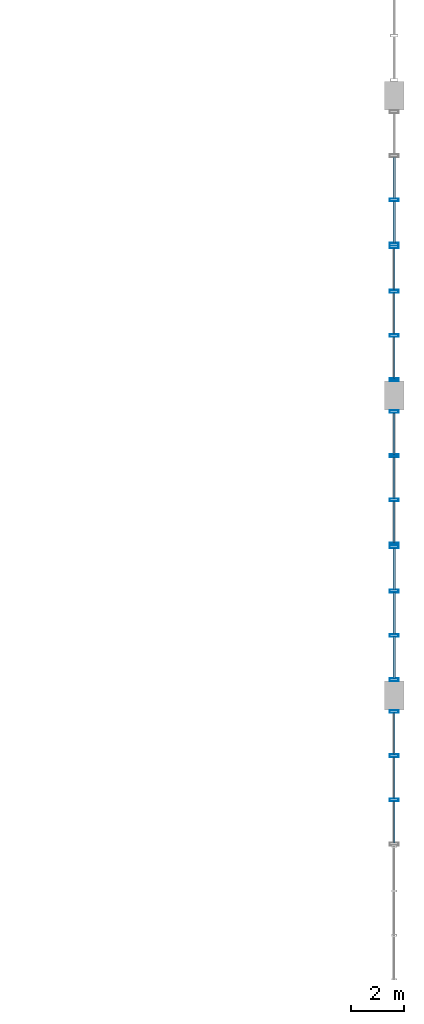
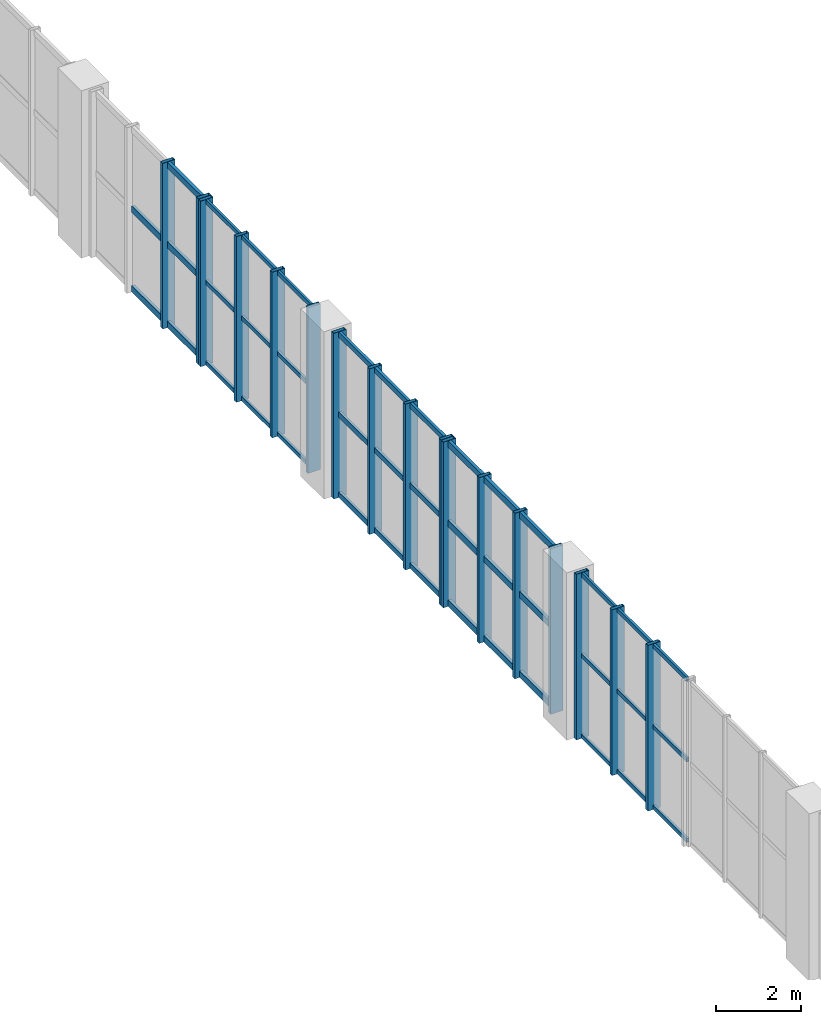
# One storey, part 60 of 106: 58 members, 5 elements without a shape of their own.
"""IFC4 building model written with IfcOpenShell, lengths in metres."""

import ifcopenshell
import ifcopenshell.guid

model = None  # the IFC model being written
_history = None  # IfcOwnerHistory: only IFC2X3 demands one
_inside = {}  # id of a spatial element -> (the spatial element, [elements in it])
_under = {}  # id of a project, library or spatial element -> (it, [spatial elements below it])
_declared = {}  # id of a project -> (the project, [libraries it declares])
_typed = {}  # id of a type object -> (the type object, [elements of that type])
_made_of = {}  # id of a material, layer set ... -> (it, [elements and type objects made of it])


def new_model(schema):
    """Start an empty IFC model of exactly this schema.

    Asked for "IFC4X3", IfcOpenShell would pick the latest addendum, in which some entities
    have other attributes; the version numbers below select the first issue.
    IFC2X3 requires an IfcOwnerHistory on every rooted entity: one is made here for all.
    """
    global model, _history
    if schema == "IFC4X3":
        model = ifcopenshell.file(schema_version=(4, 3, 0, 0))
    else:
        model = ifcopenshell.file(schema=schema)
    _inside.clear()
    _under.clear()
    _declared.clear()
    _typed.clear()
    _made_of.clear()
    _history = None
    if model.schema == "IFC2X3":
        org = make("IfcOrganization", Name="unknown")
        user = make(
            "IfcPersonAndOrganization",
            ThePerson=make("IfcPerson", FamilyName="unknown"),
            TheOrganization=org,
        )
        app = make(
            "IfcApplication",
            ApplicationDeveloper=org,
            Version="unknown",
            ApplicationFullName="unknown",
            ApplicationIdentifier="unknown",
        )
        _history = make(
            "IfcOwnerHistory",
            OwningUser=user,
            OwningApplication=app,
            ChangeAction="ADDED",
            CreationDate=0,
        )
    return model


def make(cls, **values):
    """One entity of the class cls with the attributes given. An attribute that is None is left unset."""
    return model.create_entity(
        cls, **{name: value for name, value in values.items() if value is not None}
    )


def rooted(cls, **values):
    """An entity with a GlobalId (a new one), such as an element, a storey or a relation."""
    return make(cls, GlobalId=ifcopenshell.guid.new(), OwnerHistory=_history, **values)


def si_unit(unit_type, name, prefix=None):
    """IfcSIUnit, for example si_unit("LENGTHUNIT", "METRE", prefix="MILLI")."""
    return make("IfcSIUnit", UnitType=unit_type, Prefix=prefix, Name=name)


def assignment(units):
    """IfcUnitAssignment: the units of a project."""
    return None if units is None else make("IfcUnitAssignment", Units=units)


def point(xyz):
    """IfcCartesianPoint."""
    return None if xyz is None else make("IfcCartesianPoint", Coordinates=xyz)


def direction(xyz):
    """IfcDirection."""
    return None if xyz is None else make("IfcDirection", DirectionRatios=xyz)


def frame(location, z_axis=None, x_axis=None):
    """IfcAxis2Placement3D, a coordinate frame: its origin and axes. An axis left out is left unset."""
    return make(
        "IfcAxis2Placement3D",
        Location=point(location),
        Axis=direction(z_axis),
        RefDirection=direction(x_axis),
    )


def frame_2d(location, x_axis=None):
    """IfcAxis2Placement2D, a coordinate frame in the plane: its origin and x axis."""
    return make(
        "IfcAxis2Placement2D", Location=point(location), RefDirection=direction(x_axis)
    )


def origin():
    """The frame at (0, 0, 0) with its axes left unset."""
    return frame((0.0, 0.0, 0.0))


def origin_2d():
    """The frame at (0, 0) in the plane with its x axis left unset."""
    return frame_2d((0.0, 0.0))


def place(relative_to, where):
    """IfcLocalPlacement: puts the frame where relative to a parent placement (None: the world)."""
    return make(
        "IfcLocalPlacement", PlacementRelTo=relative_to, RelativePlacement=where
    )


def context(
    kind, dimensions, precision=None, world=None, true_north=None, identifier=None
):
    """IfcGeometricRepresentationContext, for example the 3D "Model" context."""
    return make(
        "IfcGeometricRepresentationContext",
        ContextIdentifier=identifier,
        ContextType=kind,
        CoordinateSpaceDimension=dimensions,
        Precision=precision,
        WorldCoordinateSystem=world,
        TrueNorth=true_north,
    )


def subcontext(parent, identifier, kind, view, scale=None):
    """IfcGeometricRepresentationSubContext, for example "Body" below "Model"."""
    return make(
        "IfcGeometricRepresentationSubContext",
        ContextIdentifier=identifier,
        ContextType=kind,
        ParentContext=parent,
        TargetScale=scale,
        TargetView=view,
    )


def project(units=None, contexts=None):
    """IfcProject with its units and contexts."""
    return rooted(
        "IfcProject",
        Name="project",
        RepresentationContexts=contexts,
        UnitsInContext=assignment(units),
    )


def spatial(cls, under=None, at=None, **own):
    """A site, building, storey or space (cls), placed at a placement, below another one or the project."""
    s = rooted(cls, ObjectPlacement=at, **own)
    if under is not None:
        _under.setdefault(under.id(), (under, []))[1].append(s)
    return s


def profile(cls, at=None, kind="AREA", **sizes):
    """A parametric profile (cls). Its sizes go by their IFC names, for example OverallWidth=200.0."""
    return make(cls, ProfileType=kind, Position=at, **sizes)


def hollow_rectangle(**sizes):
    """IfcRectangleHollowProfileDef."""
    return profile("IfcRectangleHollowProfileDef", **sizes)


def extrude(swept, where, along, depth):
    """IfcExtrudedAreaSolid: the profile swept, set in the frame where, extruded along a direction by depth."""
    return make(
        "IfcExtrudedAreaSolid",
        SweptArea=swept,
        Position=where,
        ExtrudedDirection=direction(along),
        Depth=depth,
    )


def shape(context_of_items, identifier, shape_type, items):
    """IfcShapeRepresentation: the items that make up one representation, for example the "Body"."""
    return make(
        "IfcShapeRepresentation",
        ContextOfItems=context_of_items,
        RepresentationIdentifier=identifier,
        RepresentationType=shape_type,
        Items=items,
    )


def material(Name=None, Category=None):
    """IfcMaterial."""
    return make("IfcMaterial", Name=Name, Category=Category)


def layer(
    of_material, thickness, ventilated=None, Name=None, Category=None, Priority=None
):
    """IfcMaterialLayer: one layer of a wall or slab, of a material (None: an air gap)."""
    return make(
        "IfcMaterialLayer",
        Material=of_material,
        LayerThickness=thickness,
        IsVentilated=ventilated,
        Name=Name,
        Category=Category,
        Priority=Priority,
    )


def layer_set(layers, Name=None):
    """IfcMaterialLayerSet."""
    return make("IfcMaterialLayerSet", MaterialLayers=layers, LayerSetName=Name)


def material_profile(
    of_material, cross_section, Name=None, Category=None, Priority=None
):
    """IfcMaterialProfile: a cross section and its material."""
    return make(
        "IfcMaterialProfile",
        Name=Name,
        Material=of_material,
        Profile=cross_section,
        Priority=Priority,
        Category=Category,
    )


def profile_set(profiles, Name=None, composite=None):
    """IfcMaterialProfileSet."""
    return make(
        "IfcMaterialProfileSet",
        Name=Name,
        MaterialProfiles=profiles,
        CompositeProfile=composite,
    )


def made_of(thing, what):
    """Note that an element or type object is made of a material, layer set ...; save() writes the relation."""
    if what is not None:
        _made_of.setdefault(what.id(), (what, []))[1].append(thing)
    return thing


def type_object(cls, material=None, **own):
    """A type object (cls), such as IfcWallType, which elements share."""
    return made_of(rooted(cls, **own), material)


def element(
    cls,
    number,
    at=None,
    inside=None,
    cuts=None,
    type_object=None,
    material=None,
    context=None,
    identifier="Body",
    shape_type=None,
    held_by="IfcProductDefinitionShape",
    body=None,
    shapes=None,
    **own,
):
    """One element of the class cls, such as IfcWall. Its Tag is "e" and its number.

    at: its placement. inside: the storey or other place that contains it. cuts: it is an
    opening in that element (IfcRelVoidsElement). A single representation is given by context,
    identifier, shape_type and body (its items); several are given by shapes. held_by: the class
    of the entity that holds the representations. save() writes the other relations.
    """
    e = rooted(cls, Tag="e%d" % number, ObjectPlacement=at, **own)
    if body is not None:
        shapes = [shape(context, identifier, shape_type, body)]
    if shapes is not None:
        e.Representation = make(held_by, Representations=shapes)
    if inside is not None:
        _inside.setdefault(inside.id(), (inside, []))[1].append(e)
    if cuts is not None:
        rooted(
            "IfcRelVoidsElement", RelatingBuildingElement=cuts, RelatedOpeningElement=e
        )
    if type_object is not None:
        _typed.setdefault(type_object.id(), (type_object, []))[1].append(e)
    return made_of(e, material)


def aggregate(whole, parts):
    """IfcRelAggregates: a whole, such as a stair, and the parts it consists of."""
    return rooted("IfcRelAggregates", RelatingObject=whole, RelatedObjects=parts)


def save(model, path):
    """Write the relations noted so far, then the file.

    IfcRelAggregates (storeys below a building ...), IfcRelContainedInSpatialStructure (elements
    in a storey), IfcRelDefinesByType, IfcRelAssociatesMaterial and IfcRelDeclares: one each for
    every whole, place, type object, material and project.
    """
    for whole, parts in _under.values():
        aggregate(whole, parts)
    for where, things in _inside.values():
        rooted(
            "IfcRelContainedInSpatialStructure",
            RelatedElements=things,
            RelatingStructure=where,
        )
    for kind, things in _typed.values():
        rooted("IfcRelDefinesByType", RelatedObjects=things, RelatingType=kind)
    for what, things in _made_of.values():
        rooted("IfcRelAssociatesMaterial", RelatedObjects=things, RelatingMaterial=what)
    for by, libraries in _declared.values():
        rooted("IfcRelDeclares", RelatingContext=by, RelatedDefinitions=libraries)
    model.write(path)


model = new_model("IFC4")

# Units and contexts
model_context = context("Model", 3, precision=1e-05, world=origin(), true_north=direction((0.0, 1.0)))
body_context = subcontext(model_context, "Body", "Model", "MODEL_VIEW")
ifc_project = project(units=[si_unit("LENGTHUNIT", "METRE"), si_unit("AREAUNIT", "SQUARE_METRE"), si_unit("VOLUMEUNIT", "CUBIC_METRE"), si_unit("PLANEANGLEUNIT", "RADIAN"), si_unit("MASSUNIT", "GRAM", prefix="KILO"), si_unit("POWERUNIT", "WATT"), si_unit("THERMODYNAMICTEMPERATUREUNIT", "KELVIN")], contexts=[model_context])

# Site, building, storey
site_placement = place(None, origin())
site = spatial("IfcSite", under=ifc_project, at=site_placement, CompositionType="ELEMENT")
building_placement = place(site_placement, origin())
building = spatial("IfcBuilding", under=site, at=building_placement, Name="Kelmbourne Parkland Aquatics Centre", CompositionType="ELEMENT")
storey_placement = place(building_placement, frame((0.0, 0.0, 5.39990234375)))
storey = spatial("IfcBuildingStorey", under=building, at=storey_placement, Name="L01", CompositionType="ELEMENT", Elevation=5.39990234375)

# Curtain wall, members
ifc_material = material(Name="Thermally broken anodised aluminium framing", Category="aluminium")
ifc_layer_1 = layer(ifc_material, 0.179931640625)
ifc_layer_set_1 = layer_set([ifc_layer_1], Name="Thermally broken anodised aluminium framing")
curtain_wall_type_1 = type_object("IfcCurtainWallType", Name="CW-06", PredefinedType="NOTDEFINED", material=ifc_layer_set_1)
curtain_wall_1_placement = place(storey_placement, origin())
curtain_wall_1 = element("IfcCurtainWall", 1, at=curtain_wall_1_placement, inside=storey, type_object=curtain_wall_type_1, Name="Wave-hall clerestory curtain wall CW-L01-054", PredefinedType="NOTDEFINED")
ifc_material_profile_1 = material_profile(ifc_material, hollow_rectangle(XDim=0.10498046875, YDim=0.340087890625, WallThickness=0.006103515625, at=origin_2d()), Name="CW-M 105x340")
ifc_profile_set_1 = profile_set([ifc_material_profile_1], Name="Thermally broken anodised aluminium framing")
member_type_1 = type_object("IfcMemberType", Name="MB-MUL-5", PredefinedType="MULLION", material=ifc_profile_set_1)
member_1_placement = place(storey_placement, frame((175.199951171875, 65.2333984375, 0.0), z_axis=(0.0, 0.0, 1.0), x_axis=(0.0, 1.0, 0.0)))
member_1 = element("IfcMember", 2, at=member_1_placement, type_object=member_type_1, Name="CW-L01-054 mullion 1", PredefinedType="MULLION", context=body_context, shape_type="SweptSolid", body=[
    extrude(hollow_rectangle(XDim=0.10498046875, YDim=0.340087890625, WallThickness=0.006103515625, at=origin_2d()), origin(), (0.0, 0.0, 1.0), 4.75),
])
member_2_placement = place(storey_placement, frame((175.199951171875, 66.91455078125, 0.0), z_axis=(0.0, 0.0, 1.0), x_axis=(0.0, 1.0, 0.0)))
member_2 = element("IfcMember", 3, at=member_2_placement, type_object=member_type_1, Name="CW-L01-054 mullion 2", PredefinedType="MULLION", context=body_context, shape_type="SweptSolid", body=[
    extrude(hollow_rectangle(XDim=0.10498046875, YDim=0.340087890625, WallThickness=0.006103515625, at=origin_2d()), origin(), (0.0, 0.0, 1.0), 4.75),
])
member_3_placement = place(storey_placement, frame((175.199951171875, 68.595458984375, 0.0), z_axis=(0.0, 0.0, 1.0), x_axis=(0.0, 1.0, 0.0)))
member_3 = element("IfcMember", 4, at=member_3_placement, type_object=member_type_1, Name="CW-L01-054 mullion 3", PredefinedType="MULLION", context=body_context, shape_type="SweptSolid", body=[
    extrude(hollow_rectangle(XDim=0.10498046875, YDim=0.340087890625, WallThickness=0.006103515625, at=origin_2d()), origin(), (0.0, 0.0, 1.0), 4.75),
])

ifc_layer_2 = layer(ifc_material, 0.179931640625)
ifc_layer_set_2 = layer_set([ifc_layer_2], Name="Thermally broken anodised aluminium framing")
curtain_wall_type_2 = type_object("IfcCurtainWallType", Name="CW-11", PredefinedType="NOTDEFINED", material=ifc_layer_set_2)
curtain_wall_2_placement = place(storey_placement, origin())
curtain_wall_2 = element("IfcCurtainWall", 5, at=curtain_wall_2_placement, inside=storey, type_object=curtain_wall_type_2, Name="Wave-hall clerestory curtain wall CW-L01-059", PredefinedType="NOTDEFINED")
member_4_placement = place(storey_placement, frame((175.199951171875, 69.804443359375, 0.0), z_axis=(0.0, 0.0, 1.0), x_axis=(0.0, 1.0, 0.0)))
member_4 = element("IfcMember", 6, at=member_4_placement, type_object=member_type_1, Name="CW-L01-059 mullion 0", PredefinedType="MULLION", context=body_context, shape_type="SweptSolid", body=[
    extrude(hollow_rectangle(XDim=0.10498046875, YDim=0.340087890625, WallThickness=0.006103515625, at=origin_2d()), origin(), (0.0, 0.0, 1.0), 4.75),
])
member_5_placement = place(storey_placement, frame((175.199951171875, 71.485595703125, 0.0), z_axis=(0.0, 0.0, 1.0), x_axis=(0.0, 1.0, 0.0)))
member_5 = element("IfcMember", 7, at=member_5_placement, type_object=member_type_1, Name="CW-L01-059 mullion 1", PredefinedType="MULLION", context=body_context, shape_type="SweptSolid", body=[
    extrude(hollow_rectangle(XDim=0.10498046875, YDim=0.340087890625, WallThickness=0.006103515625, at=origin_2d()), origin(), (0.0, 0.0, 1.0), 4.75),
])
member_6_placement = place(storey_placement, frame((175.199951171875, 73.16650390625, 0.0), z_axis=(0.0, 0.0, 1.0), x_axis=(0.0, 1.0, 0.0)))
member_6 = element("IfcMember", 8, at=member_6_placement, type_object=member_type_1, Name="CW-L01-059 mullion 2", PredefinedType="MULLION", context=body_context, shape_type="SweptSolid", body=[
    extrude(hollow_rectangle(XDim=0.10498046875, YDim=0.340087890625, WallThickness=0.006103515625, at=origin_2d()), origin(), (0.0, 0.0, 1.0), 4.75),
])
member_7_placement = place(storey_placement, frame((175.199951171875, 74.847412109375, 0.0), z_axis=(0.0, 0.0, 1.0), x_axis=(0.0, 1.0, 0.0)))
member_7 = element("IfcMember", 9, at=member_7_placement, type_object=member_type_1, Name="CW-L01-059 mullion 3", PredefinedType="MULLION", context=body_context, shape_type="SweptSolid", body=[
    extrude(hollow_rectangle(XDim=0.10498046875, YDim=0.340087890625, WallThickness=0.006103515625, at=origin_2d()), origin(), (0.0, 0.0, 1.0), 4.75),
])

ifc_layer_3 = layer(ifc_material, 0.179931640625)
ifc_layer_set_3 = layer_set([ifc_layer_3], Name="Thermally broken anodised aluminium framing")
curtain_wall_type_3 = type_object("IfcCurtainWallType", Name="CW-16", PredefinedType="NOTDEFINED", material=ifc_layer_set_3)
curtain_wall_3_placement = place(storey_placement, origin())
curtain_wall_3 = element("IfcCurtainWall", 10, at=curtain_wall_3_placement, inside=storey, type_object=curtain_wall_type_3, Name="Wave-hall clerestory curtain wall CW-L01-064", PredefinedType="NOTDEFINED")
member_8_placement = place(storey_placement, frame((175.199951171875, 74.952392578125, 0.0), z_axis=(0.0, 0.0, 1.0), x_axis=(0.0, 1.0, 0.0)))
member_8 = element("IfcMember", 11, at=member_8_placement, type_object=member_type_1, Name="CW-L01-064 mullion 0", PredefinedType="MULLION", context=body_context, shape_type="SweptSolid", body=[
    extrude(hollow_rectangle(XDim=0.10498046875, YDim=0.340087890625, WallThickness=0.006103515625, at=origin_2d()), origin(), (0.0, 0.0, 1.0), 4.75),
])
member_9_placement = place(storey_placement, frame((175.199951171875, 76.633544921875, 0.0), z_axis=(0.0, 0.0, 1.0), x_axis=(0.0, 1.0, 0.0)))
member_9 = element("IfcMember", 12, at=member_9_placement, type_object=member_type_1, Name="CW-L01-064 mullion 1", PredefinedType="MULLION", context=body_context, shape_type="SweptSolid", body=[
    extrude(hollow_rectangle(XDim=0.10498046875, YDim=0.340087890625, WallThickness=0.006103515625, at=origin_2d()), origin(), (0.0, 0.0, 1.0), 4.75),
])
member_10_placement = place(storey_placement, frame((175.199951171875, 78.314453125, 0.0), z_axis=(0.0, 0.0, 1.0), x_axis=(0.0, 1.0, 0.0)))
member_10 = element("IfcMember", 13, at=member_10_placement, type_object=member_type_1, Name="CW-L01-064 mullion 2", PredefinedType="MULLION", context=body_context, shape_type="SweptSolid", body=[
    extrude(hollow_rectangle(XDim=0.10498046875, YDim=0.340087890625, WallThickness=0.006103515625, at=origin_2d()), origin(), (0.0, 0.0, 1.0), 4.75),
])
member_11_placement = place(storey_placement, frame((175.199951171875, 79.99560546875, 0.0), z_axis=(0.0, 0.0, 1.0), x_axis=(0.0, 1.0, 0.0)))
member_11 = element("IfcMember", 14, at=member_11_placement, type_object=member_type_1, Name="CW-L01-064 mullion 3", PredefinedType="MULLION", context=body_context, shape_type="SweptSolid", body=[
    extrude(hollow_rectangle(XDim=0.10498046875, YDim=0.340087890625, WallThickness=0.006103515625, at=origin_2d()), origin(), (0.0, 0.0, 1.0), 4.75),
])

ifc_layer_4 = layer(ifc_material, 0.179931640625)
ifc_layer_set_4 = layer_set([ifc_layer_4], Name="Thermally broken anodised aluminium framing")
curtain_wall_type_4 = type_object("IfcCurtainWallType", Name="CW-21", PredefinedType="NOTDEFINED", material=ifc_layer_set_4)
curtain_wall_4_placement = place(storey_placement, origin())
curtain_wall_4 = element("IfcCurtainWall", 15, at=curtain_wall_4_placement, inside=storey, type_object=curtain_wall_type_4, Name="Wave-hall clerestory curtain wall CW-L01-069", PredefinedType="NOTDEFINED")
member_12_placement = place(storey_placement, frame((175.199951171875, 81.20458984375, 0.0), z_axis=(0.0, 0.0, 1.0), x_axis=(0.0, 1.0, 0.0)))
member_12 = element("IfcMember", 16, at=member_12_placement, type_object=member_type_1, Name="CW-L01-069 mullion 0", PredefinedType="MULLION", context=body_context, shape_type="SweptSolid", body=[
    extrude(hollow_rectangle(XDim=0.10498046875, YDim=0.340087890625, WallThickness=0.006103515625, at=origin_2d()), origin(), (0.0, 0.0, 1.0), 4.75),
])
member_13_placement = place(storey_placement, frame((175.199951171875, 82.885498046875, 0.0), z_axis=(0.0, 0.0, 1.0), x_axis=(0.0, 1.0, 0.0)))
member_13 = element("IfcMember", 17, at=member_13_placement, type_object=member_type_1, Name="CW-L01-069 mullion 1", PredefinedType="MULLION", context=body_context, shape_type="SweptSolid", body=[
    extrude(hollow_rectangle(XDim=0.10498046875, YDim=0.340087890625, WallThickness=0.006103515625, at=origin_2d()), origin(), (0.0, 0.0, 1.0), 4.75),
])
member_14_placement = place(storey_placement, frame((175.199951171875, 84.56640625, 0.0), z_axis=(0.0, 0.0, 1.0), x_axis=(0.0, 1.0, 0.0)))
member_14 = element("IfcMember", 18, at=member_14_placement, type_object=member_type_1, Name="CW-L01-069 mullion 2", PredefinedType="MULLION", context=body_context, shape_type="SweptSolid", body=[
    extrude(hollow_rectangle(XDim=0.10498046875, YDim=0.340087890625, WallThickness=0.006103515625, at=origin_2d()), origin(), (0.0, 0.0, 1.0), 4.75),
])
member_15_placement = place(storey_placement, frame((175.199951171875, 86.24755859375, 0.0), z_axis=(0.0, 0.0, 1.0), x_axis=(0.0, 1.0, 0.0)))
member_15 = element("IfcMember", 19, at=member_15_placement, type_object=member_type_1, Name="CW-L01-069 mullion 3", PredefinedType="MULLION", context=body_context, shape_type="SweptSolid", body=[
    extrude(hollow_rectangle(XDim=0.10498046875, YDim=0.340087890625, WallThickness=0.006103515625, at=origin_2d()), origin(), (0.0, 0.0, 1.0), 4.75),
])

ifc_layer_5 = layer(ifc_material, 0.179931640625)
ifc_layer_set_5 = layer_set([ifc_layer_5], Name="Thermally broken anodised aluminium framing")
curtain_wall_type_5 = type_object("IfcCurtainWallType", Name="CW-02", PredefinedType="NOTDEFINED", material=ifc_layer_set_5)
curtain_wall_5_placement = place(storey_placement, origin())
curtain_wall_5 = element("IfcCurtainWall", 20, at=curtain_wall_5_placement, inside=storey, type_object=curtain_wall_type_5, Name="Wave-hall clerestory curtain wall CW-L01-074", PredefinedType="NOTDEFINED")
member_16_placement = place(storey_placement, frame((175.199951171875, 86.3525390625, 0.0), z_axis=(0.0, 0.0, 1.0), x_axis=(0.0, 1.0, 0.0)))
member_16 = element("IfcMember", 21, at=member_16_placement, type_object=member_type_1, Name="CW-L01-074 mullion 0", PredefinedType="MULLION", context=body_context, shape_type="SweptSolid", body=[
    extrude(hollow_rectangle(XDim=0.10498046875, YDim=0.340087890625, WallThickness=0.006103515625, at=origin_2d()), origin(), (0.0, 0.0, 1.0), 4.75),
])
member_17_placement = place(storey_placement, frame((175.199951171875, 88.033447265625, 0.0), z_axis=(0.0, 0.0, 1.0), x_axis=(0.0, 1.0, 0.0)))
member_17 = element("IfcMember", 22, at=member_17_placement, type_object=member_type_1, Name="CW-L01-074 mullion 1", PredefinedType="MULLION", context=body_context, shape_type="SweptSolid", body=[
    extrude(hollow_rectangle(XDim=0.10498046875, YDim=0.340087890625, WallThickness=0.006103515625, at=origin_2d()), origin(), (0.0, 0.0, 1.0), 4.75),
])

# Member
ifc_material_profile_2 = material_profile(ifc_material, hollow_rectangle(XDim=0.06494140625, YDim=0.1201171875, WallThickness=0.00341796875, at=origin_2d()), Name="CW-T 65x120")
ifc_profile_set_2 = profile_set([ifc_material_profile_2], Name="Thermally broken anodised aluminium framing")
member_type_2 = type_object("IfcMemberType", Name="MB-TRN-1", PredefinedType="USERDEFINED", material=ifc_profile_set_2)
member_18_placement = place(storey_placement, frame((175.199951171875, 63.60107421875, 0.06298828125), z_axis=(0.0, 1.0, 0.0), x_axis=(-1.0, 0.0, 0.0)))
member_18 = element("IfcMember", 23, at=member_18_placement, type_object=member_type_2, Name="CW-L01-054 transom 0-0", ObjectType="TRANSOM", PredefinedType="USERDEFINED", context=body_context, shape_type="SweptSolid", body=[
    extrude(hollow_rectangle(XDim=0.06494140625, YDim=0.1201171875, WallThickness=0.00341796875, at=origin_2d()), origin(), (0.0, 0.0, 1.0), 1.583984375),
])

member_19_placement = place(storey_placement, frame((175.199951171875, 65.281982421875, 0.06298828125), z_axis=(0.0, 1.0, 0.0), x_axis=(-1.0, 0.0, 0.0)))
member_19 = element("IfcMember", 24, at=member_19_placement, type_object=member_type_2, Name="CW-L01-054 transom 0-1", ObjectType="TRANSOM", PredefinedType="USERDEFINED", context=body_context, shape_type="SweptSolid", body=[
    extrude(hollow_rectangle(XDim=0.06494140625, YDim=0.1201171875, WallThickness=0.00341796875, at=origin_2d()), origin(), (0.0, 0.0, 1.0), 1.583984375),
])

member_20_placement = place(storey_placement, frame((175.199951171875, 66.962890625, 0.06298828125), z_axis=(0.0, 1.0, 0.0), x_axis=(-1.0, 0.0, 0.0)))
member_20 = element("IfcMember", 25, at=member_20_placement, type_object=member_type_2, Name="CW-L01-054 transom 0-2", ObjectType="TRANSOM", PredefinedType="USERDEFINED", context=body_context, shape_type="SweptSolid", body=[
    extrude(hollow_rectangle(XDim=0.06494140625, YDim=0.1201171875, WallThickness=0.00341796875, at=origin_2d()), origin(), (0.0, 0.0, 1.0), 1.584228515625),
])

member_21_placement = place(storey_placement, frame((175.199951171875, 63.60107421875, 2.375), z_axis=(0.0, 1.0, 0.0), x_axis=(-1.0, 0.0, 0.0)))
member_21 = element("IfcMember", 26, at=member_21_placement, type_object=member_type_2, Name="CW-L01-054 transom 1-0", ObjectType="TRANSOM", PredefinedType="USERDEFINED", context=body_context, shape_type="SweptSolid", body=[
    extrude(hollow_rectangle(XDim=0.06494140625, YDim=0.1201171875, WallThickness=0.00341796875, at=origin_2d()), origin(), (0.0, 0.0, 1.0), 1.583984375),
])

member_22_placement = place(storey_placement, frame((175.199951171875, 65.281982421875, 2.375), z_axis=(0.0, 1.0, 0.0), x_axis=(-1.0, 0.0, 0.0)))
member_22 = element("IfcMember", 27, at=member_22_placement, type_object=member_type_2, Name="CW-L01-054 transom 1-1", ObjectType="TRANSOM", PredefinedType="USERDEFINED", context=body_context, shape_type="SweptSolid", body=[
    extrude(hollow_rectangle(XDim=0.06494140625, YDim=0.1201171875, WallThickness=0.00341796875, at=origin_2d()), origin(), (0.0, 0.0, 1.0), 1.583984375),
])

member_23_placement = place(storey_placement, frame((175.199951171875, 66.962890625, 2.375), z_axis=(0.0, 1.0, 0.0), x_axis=(-1.0, 0.0, 0.0)))
member_23 = element("IfcMember", 28, at=member_23_placement, type_object=member_type_2, Name="CW-L01-054 transom 1-2", ObjectType="TRANSOM", PredefinedType="USERDEFINED", context=body_context, shape_type="SweptSolid", body=[
    extrude(hollow_rectangle(XDim=0.06494140625, YDim=0.1201171875, WallThickness=0.00341796875, at=origin_2d()), origin(), (0.0, 0.0, 1.0), 1.584228515625),
])

member_24_placement = place(storey_placement, frame((175.199951171875, 63.60107421875, 4.68701171875), z_axis=(0.0, 1.0, 0.0), x_axis=(-1.0, 0.0, 0.0)))
member_24 = element("IfcMember", 29, at=member_24_placement, type_object=member_type_2, Name="CW-L01-054 transom 2-0", ObjectType="TRANSOM", PredefinedType="USERDEFINED", context=body_context, shape_type="SweptSolid", body=[
    extrude(hollow_rectangle(XDim=0.06494140625, YDim=0.1201171875, WallThickness=0.00341796875, at=origin_2d()), origin(), (0.0, 0.0, 1.0), 1.583984375),
])

member_25_placement = place(storey_placement, frame((175.199951171875, 65.281982421875, 4.68701171875), z_axis=(0.0, 1.0, 0.0), x_axis=(-1.0, 0.0, 0.0)))
member_25 = element("IfcMember", 30, at=member_25_placement, type_object=member_type_2, Name="CW-L01-054 transom 2-1", ObjectType="TRANSOM", PredefinedType="USERDEFINED", context=body_context, shape_type="SweptSolid", body=[
    extrude(hollow_rectangle(XDim=0.06494140625, YDim=0.1201171875, WallThickness=0.00341796875, at=origin_2d()), origin(), (0.0, 0.0, 1.0), 1.583984375),
])

member_26_placement = place(storey_placement, frame((175.199951171875, 66.962890625, 4.68701171875), z_axis=(0.0, 1.0, 0.0), x_axis=(-1.0, 0.0, 0.0)))
member_26 = element("IfcMember", 31, at=member_26_placement, type_object=member_type_2, Name="CW-L01-054 transom 2-2", ObjectType="TRANSOM", PredefinedType="USERDEFINED", context=body_context, shape_type="SweptSolid", body=[
    extrude(hollow_rectangle(XDim=0.06494140625, YDim=0.1201171875, WallThickness=0.00341796875, at=origin_2d()), origin(), (0.0, 0.0, 1.0), 1.584228515625),
])

aggregate(curtain_wall_1, [member_1, member_2, member_3, member_18, member_19, member_20, member_21, member_22, member_23, member_24, member_25, member_26])

member_27_placement = place(storey_placement, frame((175.199951171875, 81.2529296875, 0.06298828125), z_axis=(0.0, 1.0, 0.0), x_axis=(-1.0, 0.0, 0.0)))
member_27 = element("IfcMember", 32, at=member_27_placement, type_object=member_type_2, Name="CW-L01-069 transom 0-0", ObjectType="TRANSOM", PredefinedType="USERDEFINED", context=body_context, shape_type="SweptSolid", body=[
    extrude(hollow_rectangle(XDim=0.06494140625, YDim=0.1201171875, WallThickness=0.00341796875, at=origin_2d()), origin(), (0.0, 0.0, 1.0), 1.583984375),
])

member_28_placement = place(storey_placement, frame((175.199951171875, 82.93408203125, 0.06298828125), z_axis=(0.0, 1.0, 0.0), x_axis=(-1.0, 0.0, 0.0)))
member_28 = element("IfcMember", 33, at=member_28_placement, type_object=member_type_2, Name="CW-L01-069 transom 0-1", ObjectType="TRANSOM", PredefinedType="USERDEFINED", context=body_context, shape_type="SweptSolid", body=[
    extrude(hollow_rectangle(XDim=0.06494140625, YDim=0.1201171875, WallThickness=0.00341796875, at=origin_2d()), origin(), (0.0, 0.0, 1.0), 1.583984375),
])

member_29_placement = place(storey_placement, frame((175.199951171875, 84.614990234375, 0.06298828125), z_axis=(0.0, 1.0, 0.0), x_axis=(-1.0, 0.0, 0.0)))
member_29 = element("IfcMember", 34, at=member_29_placement, type_object=member_type_2, Name="CW-L01-069 transom 0-2", ObjectType="TRANSOM", PredefinedType="USERDEFINED", context=body_context, shape_type="SweptSolid", body=[
    extrude(hollow_rectangle(XDim=0.06494140625, YDim=0.1201171875, WallThickness=0.00341796875, at=origin_2d()), origin(), (0.0, 0.0, 1.0), 1.583984375),
])

member_30_placement = place(storey_placement, frame((175.199951171875, 81.2529296875, 2.375), z_axis=(0.0, 1.0, 0.0), x_axis=(-1.0, 0.0, 0.0)))
member_30 = element("IfcMember", 35, at=member_30_placement, type_object=member_type_2, Name="CW-L01-069 transom 1-0", ObjectType="TRANSOM", PredefinedType="USERDEFINED", context=body_context, shape_type="SweptSolid", body=[
    extrude(hollow_rectangle(XDim=0.06494140625, YDim=0.1201171875, WallThickness=0.00341796875, at=origin_2d()), origin(), (0.0, 0.0, 1.0), 1.583984375),
])

member_31_placement = place(storey_placement, frame((175.199951171875, 82.93408203125, 2.375), z_axis=(0.0, 1.0, 0.0), x_axis=(-1.0, 0.0, 0.0)))
member_31 = element("IfcMember", 36, at=member_31_placement, type_object=member_type_2, Name="CW-L01-069 transom 1-1", ObjectType="TRANSOM", PredefinedType="USERDEFINED", context=body_context, shape_type="SweptSolid", body=[
    extrude(hollow_rectangle(XDim=0.06494140625, YDim=0.1201171875, WallThickness=0.00341796875, at=origin_2d()), origin(), (0.0, 0.0, 1.0), 1.583984375),
])

member_32_placement = place(storey_placement, frame((175.199951171875, 84.614990234375, 2.375), z_axis=(0.0, 1.0, 0.0), x_axis=(-1.0, 0.0, 0.0)))
member_32 = element("IfcMember", 37, at=member_32_placement, type_object=member_type_2, Name="CW-L01-069 transom 1-2", ObjectType="TRANSOM", PredefinedType="USERDEFINED", context=body_context, shape_type="SweptSolid", body=[
    extrude(hollow_rectangle(XDim=0.06494140625, YDim=0.1201171875, WallThickness=0.00341796875, at=origin_2d()), origin(), (0.0, 0.0, 1.0), 1.583984375),
])

member_33_placement = place(storey_placement, frame((175.199951171875, 81.2529296875, 4.68701171875), z_axis=(0.0, 1.0, 0.0), x_axis=(-1.0, 0.0, 0.0)))
member_33 = element("IfcMember", 38, at=member_33_placement, type_object=member_type_2, Name="CW-L01-069 transom 2-0", ObjectType="TRANSOM", PredefinedType="USERDEFINED", context=body_context, shape_type="SweptSolid", body=[
    extrude(hollow_rectangle(XDim=0.06494140625, YDim=0.1201171875, WallThickness=0.00341796875, at=origin_2d()), origin(), (0.0, 0.0, 1.0), 1.583984375),
])

member_34_placement = place(storey_placement, frame((175.199951171875, 82.93408203125, 4.68701171875), z_axis=(0.0, 1.0, 0.0), x_axis=(-1.0, 0.0, 0.0)))
member_34 = element("IfcMember", 39, at=member_34_placement, type_object=member_type_2, Name="CW-L01-069 transom 2-1", ObjectType="TRANSOM", PredefinedType="USERDEFINED", context=body_context, shape_type="SweptSolid", body=[
    extrude(hollow_rectangle(XDim=0.06494140625, YDim=0.1201171875, WallThickness=0.00341796875, at=origin_2d()), origin(), (0.0, 0.0, 1.0), 1.583984375),
])

member_35_placement = place(storey_placement, frame((175.199951171875, 84.614990234375, 4.68701171875), z_axis=(0.0, 1.0, 0.0), x_axis=(-1.0, 0.0, 0.0)))
member_35 = element("IfcMember", 40, at=member_35_placement, type_object=member_type_2, Name="CW-L01-069 transom 2-2", ObjectType="TRANSOM", PredefinedType="USERDEFINED", context=body_context, shape_type="SweptSolid", body=[
    extrude(hollow_rectangle(XDim=0.06494140625, YDim=0.1201171875, WallThickness=0.00341796875, at=origin_2d()), origin(), (0.0, 0.0, 1.0), 1.583984375),
])

aggregate(curtain_wall_4, [member_12, member_13, member_14, member_15, member_27, member_28, member_29, member_30, member_31, member_32, member_33, member_34, member_35])

ifc_material_profile_3 = material_profile(ifc_material, hollow_rectangle(XDim=0.074951171875, YDim=0.14990234375, WallThickness=0.00390625, at=origin_2d()), Name="CW-T 75x150")
ifc_profile_set_3 = profile_set([ifc_material_profile_3], Name="Thermally broken anodised aluminium framing")
member_type_3 = type_object("IfcMemberType", Name="MB-TRN-2", PredefinedType="USERDEFINED", material=ifc_profile_set_3)
member_36_placement = place(storey_placement, frame((175.199951171875, 75.0009765625, 0.078125), z_axis=(0.0, 1.0, 0.0), x_axis=(-1.0, 0.0, 0.0)))
member_36 = element("IfcMember", 41, at=member_36_placement, type_object=member_type_3, Name="CW-L01-064 transom 0-0", ObjectType="TRANSOM", PredefinedType="USERDEFINED", context=body_context, shape_type="SweptSolid", body=[
    extrude(hollow_rectangle(XDim=0.074951171875, YDim=0.14990234375, WallThickness=0.00390625, at=origin_2d()), origin(), (0.0, 0.0, 1.0), 1.583984375),
])

member_37_placement = place(storey_placement, frame((175.199951171875, 76.681884765625, 0.078125), z_axis=(0.0, 1.0, 0.0), x_axis=(-1.0, 0.0, 0.0)))
member_37 = element("IfcMember", 42, at=member_37_placement, type_object=member_type_3, Name="CW-L01-064 transom 0-1", ObjectType="TRANSOM", PredefinedType="USERDEFINED", context=body_context, shape_type="SweptSolid", body=[
    extrude(hollow_rectangle(XDim=0.074951171875, YDim=0.14990234375, WallThickness=0.00390625, at=origin_2d()), origin(), (0.0, 0.0, 1.0), 1.584228515625),
])

member_38_placement = place(storey_placement, frame((175.199951171875, 78.363037109375, 0.078125), z_axis=(0.0, 1.0, 0.0), x_axis=(-1.0, 0.0, 0.0)))
member_38 = element("IfcMember", 43, at=member_38_placement, type_object=member_type_3, Name="CW-L01-064 transom 0-2", ObjectType="TRANSOM", PredefinedType="USERDEFINED", context=body_context, shape_type="SweptSolid", body=[
    extrude(hollow_rectangle(XDim=0.074951171875, YDim=0.14990234375, WallThickness=0.00390625, at=origin_2d()), origin(), (0.0, 0.0, 1.0), 1.583984375),
])

member_39_placement = place(storey_placement, frame((175.199951171875, 75.0009765625, 2.375), z_axis=(0.0, 1.0, 0.0), x_axis=(-1.0, 0.0, 0.0)))
member_39 = element("IfcMember", 44, at=member_39_placement, type_object=member_type_3, Name="CW-L01-064 transom 1-0", ObjectType="TRANSOM", PredefinedType="USERDEFINED", context=body_context, shape_type="SweptSolid", body=[
    extrude(hollow_rectangle(XDim=0.074951171875, YDim=0.14990234375, WallThickness=0.00390625, at=origin_2d()), origin(), (0.0, 0.0, 1.0), 1.583984375),
])

member_40_placement = place(storey_placement, frame((175.199951171875, 76.681884765625, 2.375), z_axis=(0.0, 1.0, 0.0), x_axis=(-1.0, 0.0, 0.0)))
member_40 = element("IfcMember", 45, at=member_40_placement, type_object=member_type_3, Name="CW-L01-064 transom 1-1", ObjectType="TRANSOM", PredefinedType="USERDEFINED", context=body_context, shape_type="SweptSolid", body=[
    extrude(hollow_rectangle(XDim=0.074951171875, YDim=0.14990234375, WallThickness=0.00390625, at=origin_2d()), origin(), (0.0, 0.0, 1.0), 1.584228515625),
])

member_41_placement = place(storey_placement, frame((175.199951171875, 78.363037109375, 2.375), z_axis=(0.0, 1.0, 0.0), x_axis=(-1.0, 0.0, 0.0)))
member_41 = element("IfcMember", 46, at=member_41_placement, type_object=member_type_3, Name="CW-L01-064 transom 1-2", ObjectType="TRANSOM", PredefinedType="USERDEFINED", context=body_context, shape_type="SweptSolid", body=[
    extrude(hollow_rectangle(XDim=0.074951171875, YDim=0.14990234375, WallThickness=0.00390625, at=origin_2d()), origin(), (0.0, 0.0, 1.0), 1.583984375),
])

member_42_placement = place(storey_placement, frame((175.199951171875, 75.0009765625, 4.672119140625), z_axis=(0.0, 1.0, 0.0), x_axis=(-1.0, 0.0, 0.0)))
member_42 = element("IfcMember", 47, at=member_42_placement, type_object=member_type_3, Name="CW-L01-064 transom 2-0", ObjectType="TRANSOM", PredefinedType="USERDEFINED", context=body_context, shape_type="SweptSolid", body=[
    extrude(hollow_rectangle(XDim=0.074951171875, YDim=0.14990234375, WallThickness=0.00390625, at=origin_2d()), origin(), (0.0, 0.0, 1.0), 1.583984375),
])

member_43_placement = place(storey_placement, frame((175.199951171875, 76.681884765625, 4.672119140625), z_axis=(0.0, 1.0, 0.0), x_axis=(-1.0, 0.0, 0.0)))
member_43 = element("IfcMember", 48, at=member_43_placement, type_object=member_type_3, Name="CW-L01-064 transom 2-1", ObjectType="TRANSOM", PredefinedType="USERDEFINED", context=body_context, shape_type="SweptSolid", body=[
    extrude(hollow_rectangle(XDim=0.074951171875, YDim=0.14990234375, WallThickness=0.00390625, at=origin_2d()), origin(), (0.0, 0.0, 1.0), 1.584228515625),
])

member_44_placement = place(storey_placement, frame((175.199951171875, 78.363037109375, 4.672119140625), z_axis=(0.0, 1.0, 0.0), x_axis=(-1.0, 0.0, 0.0)))
member_44 = element("IfcMember", 49, at=member_44_placement, type_object=member_type_3, Name="CW-L01-064 transom 2-2", ObjectType="TRANSOM", PredefinedType="USERDEFINED", context=body_context, shape_type="SweptSolid", body=[
    extrude(hollow_rectangle(XDim=0.074951171875, YDim=0.14990234375, WallThickness=0.00390625, at=origin_2d()), origin(), (0.0, 0.0, 1.0), 1.583984375),
])

aggregate(curtain_wall_3, [member_8, member_9, member_10, member_11, member_36, member_37, member_38, member_39, member_40, member_41, member_42, member_43, member_44])

ifc_material_profile_4 = material_profile(ifc_material, hollow_rectangle(XDim=0.0849609375, YDim=0.179931640625, WallThickness=0.00439453125, at=origin_2d()), Name="CW-T 85x180")
ifc_profile_set_4 = profile_set([ifc_material_profile_4], Name="Thermally broken anodised aluminium framing")
member_type_4 = type_object("IfcMemberType", Name="MB-TRN-3", PredefinedType="USERDEFINED", material=ifc_profile_set_4)
member_45_placement = place(storey_placement, frame((175.199951171875, 69.85302734375, 0.093017578125), z_axis=(0.0, 1.0, 0.0), x_axis=(-1.0, 0.0, 0.0)))
member_45 = element("IfcMember", 50, at=member_45_placement, type_object=member_type_4, Name="CW-L01-059 transom 0-0", ObjectType="TRANSOM", PredefinedType="USERDEFINED", context=body_context, shape_type="SweptSolid", body=[
    extrude(hollow_rectangle(XDim=0.0849609375, YDim=0.179931640625, WallThickness=0.00439453125, at=origin_2d()), origin(), (0.0, 0.0, 1.0), 1.583984375),
])

member_46_placement = place(storey_placement, frame((175.199951171875, 71.533935546875, 0.093017578125), z_axis=(0.0, 1.0, 0.0), x_axis=(-1.0, 0.0, 0.0)))
member_46 = element("IfcMember", 51, at=member_46_placement, type_object=member_type_4, Name="CW-L01-059 transom 0-1", ObjectType="TRANSOM", PredefinedType="USERDEFINED", context=body_context, shape_type="SweptSolid", body=[
    extrude(hollow_rectangle(XDim=0.0849609375, YDim=0.179931640625, WallThickness=0.00439453125, at=origin_2d()), origin(), (0.0, 0.0, 1.0), 1.583984375),
])

member_47_placement = place(storey_placement, frame((175.199951171875, 73.215087890625, 0.093017578125), z_axis=(0.0, 1.0, 0.0), x_axis=(-1.0, 0.0, 0.0)))
member_47 = element("IfcMember", 52, at=member_47_placement, type_object=member_type_4, Name="CW-L01-059 transom 0-2", ObjectType="TRANSOM", PredefinedType="USERDEFINED", context=body_context, shape_type="SweptSolid", body=[
    extrude(hollow_rectangle(XDim=0.0849609375, YDim=0.179931640625, WallThickness=0.00439453125, at=origin_2d()), origin(), (0.0, 0.0, 1.0), 1.583984375),
])

member_48_placement = place(storey_placement, frame((175.199951171875, 69.85302734375, 2.375), z_axis=(0.0, 1.0, 0.0), x_axis=(-1.0, 0.0, 0.0)))
member_48 = element("IfcMember", 53, at=member_48_placement, type_object=member_type_4, Name="CW-L01-059 transom 1-0", ObjectType="TRANSOM", PredefinedType="USERDEFINED", context=body_context, shape_type="SweptSolid", body=[
    extrude(hollow_rectangle(XDim=0.0849609375, YDim=0.179931640625, WallThickness=0.00439453125, at=origin_2d()), origin(), (0.0, 0.0, 1.0), 1.583984375),
])

member_49_placement = place(storey_placement, frame((175.199951171875, 71.533935546875, 2.375), z_axis=(0.0, 1.0, 0.0), x_axis=(-1.0, 0.0, 0.0)))
member_49 = element("IfcMember", 54, at=member_49_placement, type_object=member_type_4, Name="CW-L01-059 transom 1-1", ObjectType="TRANSOM", PredefinedType="USERDEFINED", context=body_context, shape_type="SweptSolid", body=[
    extrude(hollow_rectangle(XDim=0.0849609375, YDim=0.179931640625, WallThickness=0.00439453125, at=origin_2d()), origin(), (0.0, 0.0, 1.0), 1.583984375),
])

member_50_placement = place(storey_placement, frame((175.199951171875, 73.215087890625, 2.375), z_axis=(0.0, 1.0, 0.0), x_axis=(-1.0, 0.0, 0.0)))
member_50 = element("IfcMember", 55, at=member_50_placement, type_object=member_type_4, Name="CW-L01-059 transom 1-2", ObjectType="TRANSOM", PredefinedType="USERDEFINED", context=body_context, shape_type="SweptSolid", body=[
    extrude(hollow_rectangle(XDim=0.0849609375, YDim=0.179931640625, WallThickness=0.00439453125, at=origin_2d()), origin(), (0.0, 0.0, 1.0), 1.583984375),
])

member_51_placement = place(storey_placement, frame((175.199951171875, 69.85302734375, 4.656982421875), z_axis=(0.0, 1.0, 0.0), x_axis=(-1.0, 0.0, 0.0)))
member_51 = element("IfcMember", 56, at=member_51_placement, type_object=member_type_4, Name="CW-L01-059 transom 2-0", ObjectType="TRANSOM", PredefinedType="USERDEFINED", context=body_context, shape_type="SweptSolid", body=[
    extrude(hollow_rectangle(XDim=0.0849609375, YDim=0.179931640625, WallThickness=0.00439453125, at=origin_2d()), origin(), (0.0, 0.0, 1.0), 1.583984375),
])

member_52_placement = place(storey_placement, frame((175.199951171875, 71.533935546875, 4.656982421875), z_axis=(0.0, 1.0, 0.0), x_axis=(-1.0, 0.0, 0.0)))
member_52 = element("IfcMember", 57, at=member_52_placement, type_object=member_type_4, Name="CW-L01-059 transom 2-1", ObjectType="TRANSOM", PredefinedType="USERDEFINED", context=body_context, shape_type="SweptSolid", body=[
    extrude(hollow_rectangle(XDim=0.0849609375, YDim=0.179931640625, WallThickness=0.00439453125, at=origin_2d()), origin(), (0.0, 0.0, 1.0), 1.583984375),
])

member_53_placement = place(storey_placement, frame((175.199951171875, 73.215087890625, 4.656982421875), z_axis=(0.0, 1.0, 0.0), x_axis=(-1.0, 0.0, 0.0)))
member_53 = element("IfcMember", 58, at=member_53_placement, type_object=member_type_4, Name="CW-L01-059 transom 2-2", ObjectType="TRANSOM", PredefinedType="USERDEFINED", context=body_context, shape_type="SweptSolid", body=[
    extrude(hollow_rectangle(XDim=0.0849609375, YDim=0.179931640625, WallThickness=0.00439453125, at=origin_2d()), origin(), (0.0, 0.0, 1.0), 1.583984375),
])

aggregate(curtain_wall_2, [member_4, member_5, member_6, member_7, member_45, member_46, member_47, member_48, member_49, member_50, member_51, member_52, member_53])

member_54_placement = place(storey_placement, frame((175.199951171875, 86.40087890625, 0.093017578125), z_axis=(0.0, 1.0, 0.0), x_axis=(-1.0, 0.0, 0.0)))
member_54 = element("IfcMember", 59, at=member_54_placement, type_object=member_type_4, Name="CW-L01-074 transom 0-0", ObjectType="TRANSOM", PredefinedType="USERDEFINED", context=body_context, shape_type="SweptSolid", body=[
    extrude(hollow_rectangle(XDim=0.0849609375, YDim=0.179931640625, WallThickness=0.00439453125, at=origin_2d()), origin(), (0.0, 0.0, 1.0), 1.584228515625),
])

member_55_placement = place(storey_placement, frame((175.199951171875, 88.08203125, 0.093017578125), z_axis=(0.0, 1.0, 0.0), x_axis=(-1.0, 0.0, 0.0)))
member_55 = element("IfcMember", 60, at=member_55_placement, type_object=member_type_4, Name="CW-L01-074 transom 0-1", ObjectType="TRANSOM", PredefinedType="USERDEFINED", context=body_context, shape_type="SweptSolid", body=[
    extrude(hollow_rectangle(XDim=0.0849609375, YDim=0.179931640625, WallThickness=0.00439453125, at=origin_2d()), origin(), (0.0, 0.0, 1.0), 1.583984375),
])

member_56_placement = place(storey_placement, frame((175.199951171875, 86.40087890625, 2.375), z_axis=(0.0, 1.0, 0.0), x_axis=(-1.0, 0.0, 0.0)))
member_56 = element("IfcMember", 61, at=member_56_placement, type_object=member_type_4, Name="CW-L01-074 transom 1-0", ObjectType="TRANSOM", PredefinedType="USERDEFINED", context=body_context, shape_type="SweptSolid", body=[
    extrude(hollow_rectangle(XDim=0.0849609375, YDim=0.179931640625, WallThickness=0.00439453125, at=origin_2d()), origin(), (0.0, 0.0, 1.0), 1.584228515625),
])

member_57_placement = place(storey_placement, frame((175.199951171875, 88.08203125, 2.375), z_axis=(0.0, 1.0, 0.0), x_axis=(-1.0, 0.0, 0.0)))
member_57 = element("IfcMember", 62, at=member_57_placement, type_object=member_type_4, Name="CW-L01-074 transom 1-1", ObjectType="TRANSOM", PredefinedType="USERDEFINED", context=body_context, shape_type="SweptSolid", body=[
    extrude(hollow_rectangle(XDim=0.0849609375, YDim=0.179931640625, WallThickness=0.00439453125, at=origin_2d()), origin(), (0.0, 0.0, 1.0), 1.583984375),
])

member_58_placement = place(storey_placement, frame((175.199951171875, 86.40087890625, 4.656982421875), z_axis=(0.0, 1.0, 0.0), x_axis=(-1.0, 0.0, 0.0)))
member_58 = element("IfcMember", 63, at=member_58_placement, type_object=member_type_4, Name="CW-L01-074 transom 2-0", ObjectType="TRANSOM", PredefinedType="USERDEFINED", context=body_context, shape_type="SweptSolid", body=[
    extrude(hollow_rectangle(XDim=0.0849609375, YDim=0.179931640625, WallThickness=0.00439453125, at=origin_2d()), origin(), (0.0, 0.0, 1.0), 1.584228515625),
])

aggregate(curtain_wall_5, [member_16, member_17, member_54, member_55, member_56, member_57, member_58])

save(model, "model.ifc")
